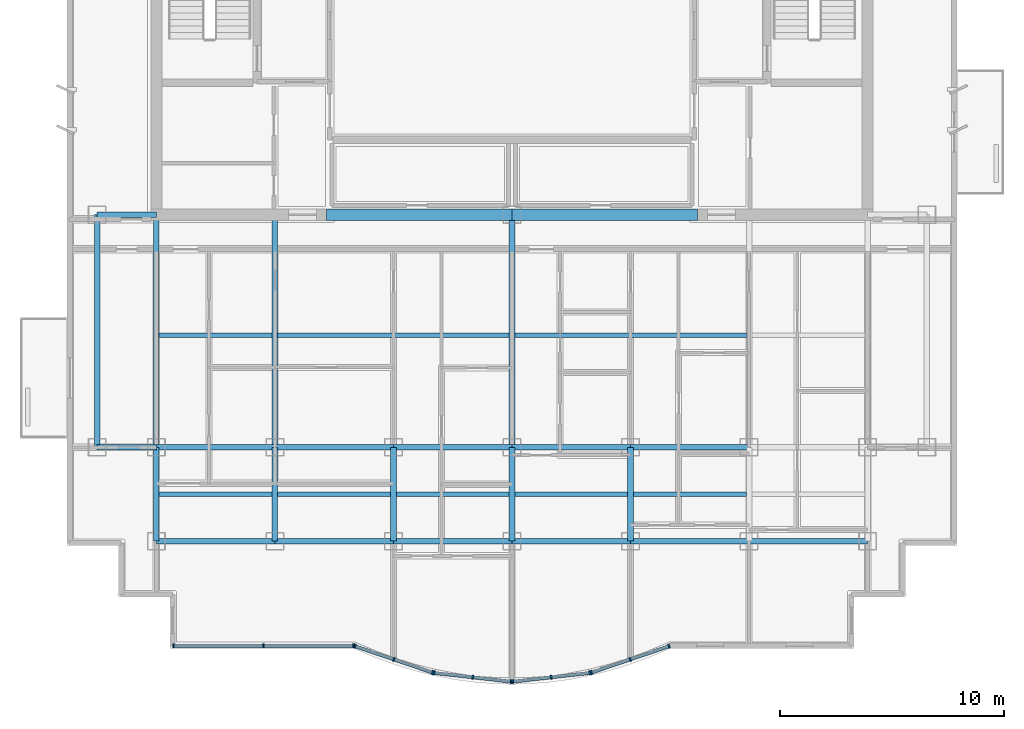
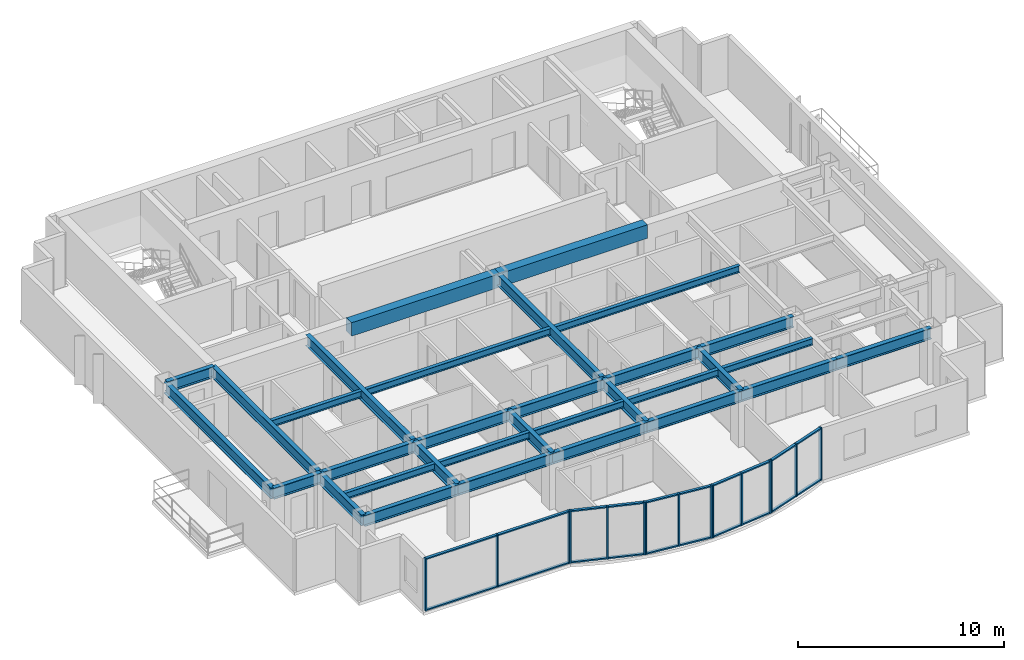
# One storey, part 2 of 9: 35 members, 32 beams, 5 elements without a shape of their own.
"""IFC4 building model written with IfcOpenShell, lengths in metres."""

from ifc_helpers import new_model, si_unit, direction, frame, origin, origin_2d, place, context, subcontext, project, spatial, rectangle, i_section, extrude, source, transform, mapped, material, layer, layer_set, material_profile, profile_set, type_object, element, aggregate, save


model = new_model("IFC4")

# Units and contexts
model_context = context("Model", 3, precision=1e-05, world=origin(), true_north=direction((0.0, 1.0)))
body_context = subcontext(model_context, "Body", "Model", "MODEL_VIEW")
ifc_project = project(units=[si_unit("LENGTHUNIT", "METRE"), si_unit("AREAUNIT", "SQUARE_METRE"), si_unit("VOLUMEUNIT", "CUBIC_METRE"), si_unit("PLANEANGLEUNIT", "RADIAN"), si_unit("MASSUNIT", "GRAM", prefix="KILO")], contexts=[model_context])

# Site, building, storey
site_placement = place(None, origin())
site = spatial("IfcSite", under=ifc_project, at=site_placement, CompositionType="ELEMENT")
building_placement = place(site_placement, origin())
building = spatial("IfcBuilding", under=site, at=building_placement, Name="Qianlan Lanfeng Residences", CompositionType="ELEMENT")
storey_placement = place(building_placement, frame((0.0, 0.0, 209.89990234375)))
storey = spatial("IfcBuildingStorey", under=building, at=storey_placement, Name="L57", CompositionType="ELEMENT", Elevation=209.89990234375)

# Beams
ifc_material_1 = material(Name="Steel SN490B", Category="steel")
ifc_material_profile_1 = material_profile(ifc_material_1, i_section(OverallWidth=0.25, OverallDepth=0.64990234375, WebThickness=0.012939453125, FlangeThickness=0.02197265625, at=origin_2d()), Name="H 650x250x13x22")
ifc_profile_set_1 = profile_set([ifc_material_profile_1], Name="Steel SN490B")
beam_type_1 = type_object("IfcBeamType", Name="G-650", PredefinedType="BEAM", material=ifc_profile_set_1)
beam_1_placement = place(storey_placement, frame((10.60009765625, 10.60009765625, 2.78515625), z_axis=(1.0, 0.0, 0.0), x_axis=(0.0, 1.0, 0.0)))
element("IfcBeam", 1, at=beam_1_placement, inside=storey, type_object=beam_type_1, Name="Structural beam G-650", PredefinedType="BEAM", context=body_context, shape_type="SweptSolid", body=[
    extrude(i_section(OverallWidth=0.25, OverallDepth=0.64990234375, WebThickness=0.012939453125, FlangeThickness=0.02197265625, at=origin_2d()), origin(), (0.0, 0.0, 1.0), 5.2998046875),
])
for number, where, z_axis, x_axis, name in (
    (2, (15.89990234375, 10.60009765625, 2.78515625), (1.0, 0.0, 0.0), (0.0, 1.0, 0.0), "Structural beam G-650"),
    (3, (21.199951171875, 10.60009765625, 2.78515625), (1.0, 0.0, 0.0), (0.0, 1.0, 0.0), "Structural beam G-650"),
    (4, (26.5, 10.60009765625, 2.78515625), (1.0, 0.0, 0.0), (0.0, 1.0, 0.0), "Structural beam G-650"),
    (5, (31.800048828125, 10.60009765625, 2.78515625), (1.0, 0.0, 0.0), (0.0, 1.0, 0.0), "Structural beam G-650"),
):
    element("IfcBeam", number, at=place(storey_placement, frame(where, z_axis=z_axis, x_axis=x_axis)), inside=storey, type_object=beam_type_1, Name=name, PredefinedType="BEAM", context=body_context, shape_type="SweptSolid", body=[
        extrude(i_section(OverallWidth=0.25, OverallDepth=0.64990234375, WebThickness=0.012939453125, FlangeThickness=0.02197265625, at=origin_2d()), origin(), (0.0, 0.0, 1.0), 5.300048828125),
    ])
beam_2_placement = place(storey_placement, frame((37.10009765625, 10.60009765625, 2.78515625), z_axis=(1.0, 0.0, 0.0), x_axis=(0.0, 1.0, 0.0)))
element("IfcBeam", 6, at=beam_2_placement, inside=storey, type_object=beam_type_1, Name="Structural beam G-650", PredefinedType="BEAM", context=body_context, shape_type="SweptSolid", body=[
    extrude(i_section(OverallWidth=0.25, OverallDepth=0.64990234375, WebThickness=0.012939453125, FlangeThickness=0.02197265625, at=origin_2d()), origin(), (0.0, 0.0, 1.0), 5.2998046875),
])
beam_3_placement = place(storey_placement, frame((7.949951171875, 14.800048828125, 2.78515625), z_axis=(1.0, 0.0, 0.0), x_axis=(0.0, 1.0, 0.0)))
element("IfcBeam", 7, at=beam_3_placement, inside=storey, type_object=beam_type_1, Name="Structural beam G-650", PredefinedType="BEAM", context=body_context, shape_type="SweptSolid", body=[
    extrude(i_section(OverallWidth=0.25, OverallDepth=0.64990234375, WebThickness=0.012939453125, FlangeThickness=0.02197265625, at=origin_2d()), origin(), (0.0, 0.0, 1.0), 2.650146484375),
])
beam_4_placement = place(storey_placement, frame((10.60009765625, 14.800048828125, 2.78515625), z_axis=(1.0, 0.0, 0.0), x_axis=(0.0, 1.0, 0.0)))
element("IfcBeam", 8, at=beam_4_placement, inside=storey, type_object=beam_type_1, Name="Structural beam G-650", PredefinedType="BEAM", context=body_context, shape_type="SweptSolid", body=[
    extrude(i_section(OverallWidth=0.25, OverallDepth=0.64990234375, WebThickness=0.012939453125, FlangeThickness=0.02197265625, at=origin_2d()), origin(), (0.0, 0.0, 1.0), 5.2998046875),
])
for number, where, z_axis, x_axis, name in (
    (9, (15.89990234375, 14.800048828125, 2.78515625), (1.0, 0.0, 0.0), (0.0, 1.0, 0.0), "Structural beam G-650"),
    (10, (21.199951171875, 14.800048828125, 2.78515625), (1.0, 0.0, 0.0), (0.0, 1.0, 0.0), "Structural beam G-650"),
    (11, (26.5, 14.800048828125, 2.78515625), (1.0, 0.0, 0.0), (0.0, 1.0, 0.0), "Structural beam G-650"),
    (12, (31.800048828125, 14.800048828125, 2.78515625), (1.0, 0.0, 0.0), (0.0, 1.0, 0.0), "Structural beam G-650"),
):
    element("IfcBeam", number, at=place(storey_placement, frame(where, z_axis=z_axis, x_axis=x_axis)), inside=storey, type_object=beam_type_1, Name=name, PredefinedType="BEAM", context=body_context, shape_type="SweptSolid", body=[
        extrude(i_section(OverallWidth=0.25, OverallDepth=0.64990234375, WebThickness=0.012939453125, FlangeThickness=0.02197265625, at=origin_2d()), origin(), (0.0, 0.0, 1.0), 5.300048828125),
    ])
beam_5_placement = place(storey_placement, frame((7.949951171875, 25.199951171875, 2.78515625), z_axis=(1.0, 0.0, 0.0), x_axis=(0.0, 1.0, 0.0)))
element("IfcBeam", 13, at=beam_5_placement, inside=storey, type_object=beam_type_1, Name="Structural beam G-650", PredefinedType="BEAM", context=body_context, shape_type="SweptSolid", body=[
    extrude(i_section(OverallWidth=0.25, OverallDepth=0.64990234375, WebThickness=0.012939453125, FlangeThickness=0.02197265625, at=origin_2d()), origin(), (0.0, 0.0, 1.0), 2.650146484375),
])
beam_6_placement = place(storey_placement, frame((10.60009765625, 10.60009765625, 2.78515625), z_axis=(0.0, 1.0, 0.0), x_axis=(-1.0, 0.0, 0.0)))
element("IfcBeam", 14, at=beam_6_placement, inside=storey, type_object=beam_type_1, Name="Structural beam G-650", PredefinedType="BEAM", context=body_context, shape_type="SweptSolid", body=[
    extrude(i_section(OverallWidth=0.25, OverallDepth=0.64990234375, WebThickness=0.012939453125, FlangeThickness=0.02197265625, at=origin_2d()), origin(), (0.0, 0.0, 1.0), 4.199951171875),
])
beam_7_placement = place(storey_placement, frame((10.60009765625, 14.800048828125, 2.78515625), z_axis=(0.0, 1.0, 0.0), x_axis=(-1.0, 0.0, 0.0)))
element("IfcBeam", 15, at=beam_7_placement, inside=storey, type_object=beam_type_1, Name="Structural beam G-650", PredefinedType="BEAM", context=body_context, shape_type="SweptSolid", body=[
    extrude(i_section(OverallWidth=0.25, OverallDepth=0.64990234375, WebThickness=0.012939453125, FlangeThickness=0.02197265625, at=origin_2d()), origin(), (0.0, 0.0, 1.0), 10.39990234375),
])
beam_8_placement = place(storey_placement, frame((15.89990234375, 10.60009765625, 2.78515625), z_axis=(0.0, 1.0, 0.0), x_axis=(-1.0, 0.0, 0.0)))
element("IfcBeam", 16, at=beam_8_placement, inside=storey, type_object=beam_type_1, Name="Structural beam G-650", PredefinedType="BEAM", context=body_context, shape_type="SweptSolid", body=[
    extrude(i_section(OverallWidth=0.25, OverallDepth=0.64990234375, WebThickness=0.012939453125, FlangeThickness=0.02197265625, at=origin_2d()), origin(), (0.0, 0.0, 1.0), 4.199951171875),
])
beam_9_placement = place(storey_placement, frame((15.89990234375, 14.800048828125, 2.78515625), z_axis=(0.0, 1.0, 0.0), x_axis=(-1.0, 0.0, 0.0)))
element("IfcBeam", 17, at=beam_9_placement, inside=storey, type_object=beam_type_1, Name="Structural beam G-650", PredefinedType="BEAM", context=body_context, shape_type="SweptSolid", body=[
    extrude(i_section(OverallWidth=0.25, OverallDepth=0.64990234375, WebThickness=0.012939453125, FlangeThickness=0.02197265625, at=origin_2d()), origin(), (0.0, 0.0, 1.0), 10.39990234375),
])
for number, where, z_axis, x_axis, name in (
    (18, (21.199951171875, 10.60009765625, 2.78515625), (0.0, 1.0, 0.0), (-1.0, 0.0, 0.0), "Structural beam G-650"),
    (19, (26.5, 10.60009765625, 2.78515625), (0.0, 1.0, 0.0), (-1.0, 0.0, 0.0), "Structural beam G-650"),
):
    element("IfcBeam", number, at=place(storey_placement, frame(where, z_axis=z_axis, x_axis=x_axis)), inside=storey, type_object=beam_type_1, Name=name, PredefinedType="BEAM", context=body_context, shape_type="SweptSolid", body=[
        extrude(i_section(OverallWidth=0.25, OverallDepth=0.64990234375, WebThickness=0.012939453125, FlangeThickness=0.02197265625, at=origin_2d()), origin(), (0.0, 0.0, 1.0), 4.199951171875),
    ])
beam_10_placement = place(storey_placement, frame((26.5, 14.800048828125, 2.78515625), z_axis=(0.0, 1.0, 0.0), x_axis=(-1.0, 0.0, 0.0)))
element("IfcBeam", 20, at=beam_10_placement, inside=storey, type_object=beam_type_1, Name="Structural beam G-650", PredefinedType="BEAM", context=body_context, shape_type="SweptSolid", body=[
    extrude(i_section(OverallWidth=0.25, OverallDepth=0.64990234375, WebThickness=0.012939453125, FlangeThickness=0.02197265625, at=origin_2d()), origin(), (0.0, 0.0, 1.0), 10.39990234375),
])
beam_11_placement = place(storey_placement, frame((31.800048828125, 10.60009765625, 2.78515625), z_axis=(0.0, 1.0, 0.0), x_axis=(-1.0, 0.0, 0.0)))
element("IfcBeam", 21, at=beam_11_placement, inside=storey, type_object=beam_type_1, Name="Structural beam G-650", PredefinedType="BEAM", context=body_context, shape_type="SweptSolid", body=[
    extrude(i_section(OverallWidth=0.25, OverallDepth=0.64990234375, WebThickness=0.012939453125, FlangeThickness=0.02197265625, at=origin_2d()), origin(), (0.0, 0.0, 1.0), 4.199951171875),
])
ifc_material_profile_2 = material_profile(ifc_material_1, i_section(OverallWidth=0.199951171875, OverallDepth=0.39990234375, WebThickness=0.008056640625, FlangeThickness=0.012939453125, at=origin_2d()), Name="H 400x200x8x13")
ifc_profile_set_2 = profile_set([ifc_material_profile_2], Name="Steel SN490B")
beam_type_2 = type_object("IfcBeamType", Name="J-400", PredefinedType="JOIST", material=ifc_profile_set_2)
beam_12_placement = place(storey_placement, frame((10.72509765625, 12.699951171875, 2.91015625), z_axis=(1.0, 0.0, 0.0), x_axis=(0.0, 1.0, 0.0)))
element("IfcBeam", 22, at=beam_12_placement, inside=storey, type_object=beam_type_2, Name="Structural beam J-400", PredefinedType="JOIST", context=body_context, shape_type="SweptSolid", body=[
    extrude(i_section(OverallWidth=0.199951171875, OverallDepth=0.39990234375, WebThickness=0.008056640625, FlangeThickness=0.012939453125, at=origin_2d()), origin(), (0.0, 0.0, 1.0), 5.0498046875),
])
for number, where, z_axis, x_axis, name in (
    (23, (16.02490234375, 12.699951171875, 2.91015625), (1.0, 0.0, 0.0), (0.0, 1.0, 0.0), "Structural beam J-400"),
    (24, (21.324951171875, 12.699951171875, 2.91015625), (1.0, 0.0, 0.0), (0.0, 1.0, 0.0), "Structural beam J-400"),
    (25, (26.625, 12.699951171875, 2.91015625), (1.0, 0.0, 0.0), (0.0, 1.0, 0.0), "Structural beam J-400"),
    (26, (31.925048828125, 12.699951171875, 2.91015625), (1.0, 0.0, 0.0), (0.0, 1.0, 0.0), "Structural beam J-400"),
):
    element("IfcBeam", number, at=place(storey_placement, frame(where, z_axis=z_axis, x_axis=x_axis)), inside=storey, type_object=beam_type_2, Name=name, PredefinedType="JOIST", context=body_context, shape_type="SweptSolid", body=[
        extrude(i_section(OverallWidth=0.199951171875, OverallDepth=0.39990234375, WebThickness=0.008056640625, FlangeThickness=0.012939453125, at=origin_2d()), origin(), (0.0, 0.0, 1.0), 5.050048828125),
    ])
beam_13_placement = place(storey_placement, frame((10.72509765625, 19.800048828125, 2.91015625), z_axis=(1.0, 0.0, 0.0), x_axis=(0.0, 1.0, 0.0)))
element("IfcBeam", 27, at=beam_13_placement, inside=storey, type_object=beam_type_2, Name="Structural beam J-400", PredefinedType="JOIST", context=body_context, shape_type="SweptSolid", body=[
    extrude(i_section(OverallWidth=0.199951171875, OverallDepth=0.39990234375, WebThickness=0.008056640625, FlangeThickness=0.012939453125, at=origin_2d()), origin(), (0.0, 0.0, 1.0), 5.0498046875),
])
for number, where, z_axis, x_axis, name in (
    (28, (16.02490234375, 19.800048828125, 2.91015625), (1.0, 0.0, 0.0), (0.0, 1.0, 0.0), "Structural beam J-400"),
    (29, (26.625, 19.800048828125, 2.91015625), (1.0, 0.0, 0.0), (0.0, 1.0, 0.0), "Structural beam J-400"),
):
    element("IfcBeam", number, at=place(storey_placement, frame(where, z_axis=z_axis, x_axis=x_axis)), inside=storey, type_object=beam_type_2, Name=name, PredefinedType="JOIST", context=body_context, shape_type="SweptSolid", body=[
        extrude(i_section(OverallWidth=0.199951171875, OverallDepth=0.39990234375, WebThickness=0.008056640625, FlangeThickness=0.012939453125, at=origin_2d()), origin(), (0.0, 0.0, 1.0), 10.35009765625),
    ])
ifc_material_2 = material(Name="Concrete C49", Category="concrete")
ifc_material_profile_3 = material_profile(ifc_material_2, rectangle(XDim=0.5, YDim=0.800048828125, at=origin_2d()), Name="RC 500x800")
ifc_profile_set_3 = profile_set([ifc_material_profile_3], Name="Concrete C49")
beam_type_3 = type_object("IfcBeamType", Name="LB-RC750", PredefinedType="BEAM", material=ifc_profile_set_3)
for number, where, z_axis, x_axis, name in (
    (30, (18.199951171875, 25.199951171875, 2.710205078125), (1.0, 0.0, 0.0), (0.0, 1.0, 0.0), "L57 Core Coupling Beam W"),
    (31, (26.5, 25.199951171875, 2.710205078125), (1.0, 0.0, 0.0), (0.0, 1.0, 0.0), "L57 Core Coupling Beam E"),
):
    element("IfcBeam", number, at=place(storey_placement, frame(where, z_axis=z_axis, x_axis=x_axis)), inside=storey, type_object=beam_type_3, Name=name, PredefinedType="BEAM", context=body_context, shape_type="SweptSolid", body=[
        extrude(rectangle(XDim=0.5, YDim=0.800048828125, at=origin_2d()), origin(), (0.0, 0.0, 1.0), 8.300048828125),
    ])
ifc_material_profile_4 = material_profile(ifc_material_1, i_section(OverallWidth=0.25, OverallDepth=0.64990234375, WebThickness=0.012939453125, FlangeThickness=0.02197265625, at=origin_2d()), Name="H 650x250x13x22")
ifc_profile_set_4 = profile_set([ifc_material_profile_4], Name="Steel SN490B")
beam_type_4 = type_object("IfcBeamType", Name="SG-650", PredefinedType="SPANDREL", material=ifc_profile_set_4)
beam_14_placement = place(storey_placement, frame((7.949951171875, 14.800048828125, 2.76513671875), z_axis=(0.0, 1.0, 0.0), x_axis=(-1.0, 0.0, 0.0)))
element("IfcBeam", 32, at=beam_14_placement, inside=storey, type_object=beam_type_4, Name="Structural beam SG-650", PredefinedType="SPANDREL", context=body_context, shape_type="SweptSolid", body=[
    extrude(i_section(OverallWidth=0.25, OverallDepth=0.64990234375, WebThickness=0.012939453125, FlangeThickness=0.02197265625, at=origin_2d()), origin(), (0.0, 0.0, 1.0), 10.39990234375),
])

# Curtain wall, members
ifc_material_3 = material(Name="Anodised Bronze Aluminium 6063-T6", Category="aluminium")
ifc_layer = layer(ifc_material_3, 0.219970703125)
ifc_layer_set = layer_set([ifc_layer], Name="Anodised Bronze Aluminium 6063-T6")
curtain_wall_type = type_object("IfcCurtainWallType", Name="CW-05", PredefinedType="NOTDEFINED", material=ifc_layer_set)
curtain_wall_1_placement = place(storey_placement, origin())
curtain_wall_1 = element("IfcCurtainWall", 33, at=curtain_wall_1_placement, inside=storey, type_object=curtain_wall_type, Name="L57 Unitised Curtain Wall CWR-L57-01 (CW-05)", PredefinedType="NOTDEFINED")
ifc_material_profile_5 = material_profile(ifc_material_3, rectangle(XDim=0.074951171875, YDim=0.14990234375, at=origin_2d()), Name="ALU TRANSOM 75x150")
ifc_profile_set_5 = profile_set([ifc_material_profile_5], Name="Anodised Bronze Aluminium 6063-T6")
member_type_1 = type_object("IfcMemberType", Name="CWT-150", PredefinedType="USERDEFINED", material=ifc_profile_set_5)
shared_shape_1 = source(origin(), body_context, "Body", "SweptSolid", [
    extrude(rectangle(XDim=0.074951171875, YDim=0.14990234375, at=origin_2d()), origin(), (0.0, 0.0, 1.0), 3.949462890625),
])
member_1_placement = place(storey_placement, frame((11.39501953125, 5.919921875, 0.03759765625), z_axis=(1.0, 0.0, 0.0), x_axis=(0.0, 0.0, 1.0)))
member_1 = element("IfcMember", 34, at=member_1_placement, type_object=member_type_1, Name="CWR-L57-01 Transom 1-BOT", ObjectType="TRANSOM", PredefinedType="USERDEFINED", context=body_context, shape_type="MappedRepresentation", body=[
    mapped(shared_shape_1, transform((0.0, 0.0, 0.0), scale=1.0)),
])
member_2_placement = place(storey_placement, frame((11.39501953125, 5.919921875, 3.072509765625), z_axis=(1.0, 0.0, 0.0), x_axis=(0.0, 0.0, 1.0)))
member_2 = element("IfcMember", 35, at=member_2_placement, type_object=member_type_1, Name="CWR-L57-01 Transom 1-TOP", ObjectType="TRANSOM", PredefinedType="USERDEFINED", context=body_context, shape_type="MappedRepresentation", body=[
    mapped(shared_shape_1, transform((0.0, 0.0, 0.0), scale=1.0)),
])
member_3_placement = place(storey_placement, frame((15.41943359375, 5.919921875, 0.03759765625), z_axis=(1.0, 0.0, 0.0), x_axis=(0.0, 0.0, 1.0)))
member_3 = element("IfcMember", 36, at=member_3_placement, type_object=member_type_1, Name="CWR-L57-01 Transom 2-BOT", ObjectType="TRANSOM", PredefinedType="USERDEFINED", context=body_context, shape_type="MappedRepresentation", body=[
    mapped(shared_shape_1, transform((0.0, 0.0, 0.0), scale=1.0)),
])
member_4_placement = place(storey_placement, frame((15.41943359375, 5.919921875, 3.072509765625), z_axis=(1.0, 0.0, 0.0), x_axis=(0.0, 0.0, 1.0)))
member_4 = element("IfcMember", 37, at=member_4_placement, type_object=member_type_1, Name="CWR-L57-01 Transom 2-TOP", ObjectType="TRANSOM", PredefinedType="USERDEFINED", context=body_context, shape_type="MappedRepresentation", body=[
    mapped(shared_shape_1, transform((0.0, 0.0, 0.0), scale=1.0)),
])

curtain_wall_2_placement = place(storey_placement, origin())
curtain_wall_2 = element("IfcCurtainWall", 38, at=curtain_wall_2_placement, inside=storey, type_object=curtain_wall_type, Name="L57 Unitised Curtain Wall CWR-L57-02 (CW-05)", PredefinedType="NOTDEFINED")
shared_shape_2 = source(origin(), body_context, "Body", "SweptSolid", [
    extrude(rectangle(XDim=0.074951171875, YDim=0.14990234375, at=origin_2d()), origin(), (0.0, 0.0, 1.0), 1.758056640625),
])
member_5_placement = place(storey_placement, frame((19.514892578125, 5.89599609375, 0.03759765625), z_axis=(0.946862437727, -0.321638809882, 0.0), x_axis=(0.0, 0.0, 1.0)))
member_5 = element("IfcMember", 39, at=member_5_placement, type_object=member_type_1, Name="CWR-L57-02 Transom 1-BOT", ObjectType="TRANSOM", PredefinedType="USERDEFINED", context=body_context, shape_type="MappedRepresentation", body=[
    mapped(shared_shape_2, transform((0.0, 0.0, 0.0), scale=1.0)),
])
member_6_placement = place(storey_placement, frame((19.514892578125, 5.89599609375, 3.072509765625), z_axis=(0.946862437727, -0.321638809882, 0.0), x_axis=(0.0, 0.0, 1.0)))
member_6 = element("IfcMember", 40, at=member_6_placement, type_object=member_type_1, Name="CWR-L57-02 Transom 1-TOP", ObjectType="TRANSOM", PredefinedType="USERDEFINED", context=body_context, shape_type="MappedRepresentation", body=[
    mapped(shared_shape_2, transform((0.0, 0.0, 0.0), scale=1.0)),
])

curtain_wall_3_placement = place(storey_placement, origin())
curtain_wall_3 = element("IfcCurtainWall", 41, at=curtain_wall_3_placement, inside=storey, type_object=curtain_wall_type, Name="L57 Unitised Curtain Wall CWR-L57-05 (CW-05)", PredefinedType="NOTDEFINED")
member_7_placement = place(storey_placement, frame((31.820556640625, 5.33056640625, 0.03759765625), z_axis=(0.946862437727, 0.321638809882, 0.0), x_axis=(0.0, 0.0, 1.0)))
member_7 = element("IfcMember", 42, at=member_7_placement, type_object=member_type_1, Name="CWR-L57-05 Transom 2-BOT", ObjectType="TRANSOM", PredefinedType="USERDEFINED", context=body_context, shape_type="MappedRepresentation", body=[
    mapped(shared_shape_2, transform((0.0, 0.0, 0.0), scale=1.0)),
])
member_8_placement = place(storey_placement, frame((31.820556640625, 5.33056640625, 3.072509765625), z_axis=(0.946862437727, 0.321638809882, 0.0), x_axis=(0.0, 0.0, 1.0)))
member_8 = element("IfcMember", 43, at=member_8_placement, type_object=member_type_1, Name="CWR-L57-05 Transom 2-TOP", ObjectType="TRANSOM", PredefinedType="USERDEFINED", context=body_context, shape_type="MappedRepresentation", body=[
    mapped(shared_shape_2, transform((0.0, 0.0, 0.0), scale=1.0)),
])

# Member
shared_shape_3 = source(origin(), body_context, "Body", "SweptSolid", [
    extrude(rectangle(XDim=0.074951171875, YDim=0.14990234375, at=origin_2d()), origin(), (0.0, 0.0, 1.0), 1.7578125),
])
member_9_placement = place(storey_placement, frame((21.25048828125, 5.306396484375, 0.03759765625), z_axis=(0.946904726058, -0.321514291702, 0.0), x_axis=(0.0, 0.0, 1.0)))
member_9 = element("IfcMember", 44, at=member_9_placement, type_object=member_type_1, Name="CWR-L57-02 Transom 2-BOT", ObjectType="TRANSOM", PredefinedType="USERDEFINED", context=body_context, shape_type="MappedRepresentation", body=[
    mapped(shared_shape_3, transform((0.0, 0.0, 0.0), scale=1.0)),
])

member_10_placement = place(storey_placement, frame((21.25048828125, 5.306396484375, 3.072509765625), z_axis=(0.946904726058, -0.321514291702, 0.0), x_axis=(0.0, 0.0, 1.0)))
member_10 = element("IfcMember", 45, at=member_10_placement, type_object=member_type_1, Name="CWR-L57-02 Transom 2-TOP", ObjectType="TRANSOM", PredefinedType="USERDEFINED", context=body_context, shape_type="MappedRepresentation", body=[
    mapped(shared_shape_3, transform((0.0, 0.0, 0.0), scale=1.0)),
])

member_11_placement = place(storey_placement, frame((30.0849609375, 4.7412109375, 0.03759765625), z_axis=(0.946904726058, 0.321514291702, 0.0), x_axis=(0.0, 0.0, 1.0)))
member_11 = element("IfcMember", 46, at=member_11_placement, type_object=member_type_1, Name="CWR-L57-05 Transom 1-BOT", ObjectType="TRANSOM", PredefinedType="USERDEFINED", context=body_context, shape_type="MappedRepresentation", body=[
    mapped(shared_shape_3, transform((0.0, 0.0, 0.0), scale=1.0)),
])

member_12_placement = place(storey_placement, frame((30.0849609375, 4.7412109375, 3.072509765625), z_axis=(0.946904726058, 0.321514291702, 0.0), x_axis=(0.0, 0.0, 1.0)))
member_12 = element("IfcMember", 47, at=member_12_placement, type_object=member_type_1, Name="CWR-L57-05 Transom 1-TOP", ObjectType="TRANSOM", PredefinedType="USERDEFINED", context=body_context, shape_type="MappedRepresentation", body=[
    mapped(shared_shape_3, transform((0.0, 0.0, 0.0), scale=1.0)),
])

# Curtain wall, members
curtain_wall_4_placement = place(storey_placement, origin())
curtain_wall_4 = element("IfcCurtainWall", 48, at=curtain_wall_4_placement, inside=storey, type_object=curtain_wall_type, Name="L57 Unitised Curtain Wall CWR-L57-03 (CW-05)", PredefinedType="NOTDEFINED")
shared_shape_4 = source(origin(), body_context, "Body", "SweptSolid", [
    extrude(rectangle(XDim=0.074951171875, YDim=0.14990234375, at=origin_2d()), origin(), (0.0, 0.0, 1.0), 1.65576171875),
])
member_13_placement = place(storey_placement, frame((23.060546875, 4.70849609375, 0.03759765625), z_axis=(0.993684337804, -0.112211571608, 0.0), x_axis=(0.0, 0.0, 1.0)))
member_13 = element("IfcMember", 49, at=member_13_placement, type_object=member_type_1, Name="CWR-L57-03 Transom 1-BOT", ObjectType="TRANSOM", PredefinedType="USERDEFINED", context=body_context, shape_type="MappedRepresentation", body=[
    mapped(shared_shape_4, transform((0.0, 0.0, 0.0), scale=1.0)),
])
member_14_placement = place(storey_placement, frame((23.060546875, 4.70849609375, 3.072509765625), z_axis=(0.993684337804, -0.112211571608, 0.0), x_axis=(0.0, 0.0, 1.0)))
member_14 = element("IfcMember", 50, at=member_14_placement, type_object=member_type_1, Name="CWR-L57-03 Transom 1-TOP", ObjectType="TRANSOM", PredefinedType="USERDEFINED", context=body_context, shape_type="MappedRepresentation", body=[
    mapped(shared_shape_4, transform((0.0, 0.0, 0.0), scale=1.0)),
])
member_15_placement = place(storey_placement, frame((24.7802734375, 4.514404296875, 0.03759765625), z_axis=(0.993667885999, -0.112357164139, 0.0), x_axis=(0.0, 0.0, 1.0)))
member_15 = element("IfcMember", 51, at=member_15_placement, type_object=member_type_1, Name="CWR-L57-03 Transom 2-BOT", ObjectType="TRANSOM", PredefinedType="USERDEFINED", context=body_context, shape_type="MappedRepresentation", body=[
    mapped(shared_shape_4, transform((0.0, 0.0, 0.0), scale=1.0)),
])
member_16_placement = place(storey_placement, frame((24.7802734375, 4.514404296875, 3.072509765625), z_axis=(0.993667885999, -0.112357164139, 0.0), x_axis=(0.0, 0.0, 1.0)))
member_16 = element("IfcMember", 52, at=member_16_placement, type_object=member_type_1, Name="CWR-L57-03 Transom 2-TOP", ObjectType="TRANSOM", PredefinedType="USERDEFINED", context=body_context, shape_type="MappedRepresentation", body=[
    mapped(shared_shape_4, transform((0.0, 0.0, 0.0), scale=1.0)),
])

curtain_wall_5_placement = place(storey_placement, origin())
curtain_wall_5 = element("IfcCurtainWall", 53, at=curtain_wall_5_placement, inside=storey, type_object=curtain_wall_type, Name="L57 Unitised Curtain Wall CWR-L57-04 (CW-05)", PredefinedType="NOTDEFINED")
member_17_placement = place(storey_placement, frame((26.574462890625, 4.328369140625, 0.03759765625), z_axis=(0.993667885999, 0.112357164139, 0.0), x_axis=(0.0, 0.0, 1.0)))
member_17 = element("IfcMember", 54, at=member_17_placement, type_object=member_type_1, Name="CWR-L57-04 Transom 1-BOT", ObjectType="TRANSOM", PredefinedType="USERDEFINED", context=body_context, shape_type="MappedRepresentation", body=[
    mapped(shared_shape_4, transform((0.0, 0.0, 0.0), scale=1.0)),
])
member_18_placement = place(storey_placement, frame((26.574462890625, 4.328369140625, 3.072509765625), z_axis=(0.993667885999, 0.112357164139, 0.0), x_axis=(0.0, 0.0, 1.0)))
member_18 = element("IfcMember", 55, at=member_18_placement, type_object=member_type_1, Name="CWR-L57-04 Transom 1-TOP", ObjectType="TRANSOM", PredefinedType="USERDEFINED", context=body_context, shape_type="MappedRepresentation", body=[
    mapped(shared_shape_4, transform((0.0, 0.0, 0.0), scale=1.0)),
])
member_19_placement = place(storey_placement, frame((28.294189453125, 4.522705078125, 0.03759765625), z_axis=(0.993684337804, 0.112211571608, 0.0), x_axis=(0.0, 0.0, 1.0)))
member_19 = element("IfcMember", 56, at=member_19_placement, type_object=member_type_1, Name="CWR-L57-04 Transom 2-BOT", ObjectType="TRANSOM", PredefinedType="USERDEFINED", context=body_context, shape_type="MappedRepresentation", body=[
    mapped(shared_shape_4, transform((0.0, 0.0, 0.0), scale=1.0)),
])
member_20_placement = place(storey_placement, frame((28.294189453125, 4.522705078125, 3.072509765625), z_axis=(0.993684337804, 0.112211571608, 0.0), x_axis=(0.0, 0.0, 1.0)))
member_20 = element("IfcMember", 57, at=member_20_placement, type_object=member_type_1, Name="CWR-L57-04 Transom 2-TOP", ObjectType="TRANSOM", PredefinedType="USERDEFINED", context=body_context, shape_type="MappedRepresentation", body=[
    mapped(shared_shape_4, transform((0.0, 0.0, 0.0), scale=1.0)),
])

# Member
ifc_material_profile_6 = material_profile(ifc_material_3, rectangle(XDim=0.074951171875, YDim=0.179931640625, at=origin_2d()), Name="ALU MULLION 75x180")
ifc_profile_set_6 = profile_set([ifc_material_profile_6], Name="Anodised Bronze Aluminium 6063-T6")
member_type_2 = type_object("IfcMemberType", Name="CWM-180", PredefinedType="MULLION", material=ifc_profile_set_6)
shared_shape_5 = source(origin(), body_context, "Body", "SweptSolid", [
    extrude(rectangle(XDim=0.074951171875, YDim=0.179931640625, at=origin_2d()), origin(), (0.0, 0.0, 1.0), 3.110107421875),
])
member_21_placement = place(storey_placement, frame((11.357421875, 5.919921875, 0.0), z_axis=(0.0, 0.0, 1.0), x_axis=(1.0, 0.0, 0.0)))
member_21 = element("IfcMember", 58, at=member_21_placement, type_object=member_type_2, Name="CWR-L57-01 Mullion 1", PredefinedType="MULLION", context=body_context, shape_type="MappedRepresentation", body=[
    mapped(shared_shape_5, transform((0.0, 0.0, 0.0), scale=1.0)),
])

member_22_placement = place(storey_placement, frame((15.382080078125, 5.919921875, 0.0), z_axis=(0.0, 0.0, 1.0), x_axis=(1.0, 0.0, 0.0)))
member_22 = element("IfcMember", 59, at=member_22_placement, type_object=member_type_2, Name="CWR-L57-01 Mullion 2", PredefinedType="MULLION", context=body_context, shape_type="MappedRepresentation", body=[
    mapped(shared_shape_5, transform((0.0, 0.0, 0.0), scale=1.0)),
])

member_23_placement = place(storey_placement, frame((19.406494140625, 5.919921875, 0.0), z_axis=(0.0, 0.0, 1.0), x_axis=(1.0, 0.0, 0.0)))
member_23 = element("IfcMember", 60, at=member_23_placement, type_object=member_type_2, Name="CWR-L57-01 Mullion 3", PredefinedType="MULLION", context=body_context, shape_type="MappedRepresentation", body=[
    mapped(shared_shape_5, transform((0.0, 0.0, 0.0), scale=1.0)),
])

aggregate(curtain_wall_1, [member_21, member_22, member_23, member_1, member_2, member_3, member_4])

member_24_placement = place(storey_placement, frame((19.4794921875, 5.907958984375, 0.0), z_axis=(0.0, 0.0, 1.0), x_axis=(0.946876819797, -0.321596467845, 0.0)))
member_24 = element("IfcMember", 61, at=member_24_placement, type_object=member_type_2, Name="CWR-L57-02 Mullion 1", PredefinedType="MULLION", context=body_context, shape_type="MappedRepresentation", body=[
    mapped(shared_shape_5, transform((0.0, 0.0, 0.0), scale=1.0)),
])

member_25_placement = place(storey_placement, frame((21.215087890625, 5.318603515625, 0.0), z_axis=(0.0, 0.0, 1.0), x_axis=(0.946876819797, -0.321596467845, 0.0)))
member_25 = element("IfcMember", 62, at=member_25_placement, type_object=member_type_2, Name="CWR-L57-02 Mullion 2", PredefinedType="MULLION", context=body_context, shape_type="MappedRepresentation", body=[
    mapped(shared_shape_5, transform((0.0, 0.0, 0.0), scale=1.0)),
])

member_26_placement = place(storey_placement, frame((22.950439453125, 4.72900390625, 0.0), z_axis=(0.0, 0.0, 1.0), x_axis=(0.946876819797, -0.321596467845, 0.0)))
member_26 = element("IfcMember", 63, at=member_26_placement, type_object=member_type_2, Name="CWR-L57-02 Mullion 3", PredefinedType="MULLION", context=body_context, shape_type="MappedRepresentation", body=[
    mapped(shared_shape_5, transform((0.0, 0.0, 0.0), scale=1.0)),
])

aggregate(curtain_wall_2, [member_24, member_25, member_26, member_5, member_6, member_9, member_10])

member_27_placement = place(storey_placement, frame((23.023193359375, 4.712890625, 0.0), z_axis=(0.0, 0.0, 1.0), x_axis=(0.993678497778, -0.112263275625, 0.0)))
member_27 = element("IfcMember", 64, at=member_27_placement, type_object=member_type_2, Name="CWR-L57-03 Mullion 1", PredefinedType="MULLION", context=body_context, shape_type="MappedRepresentation", body=[
    mapped(shared_shape_5, transform((0.0, 0.0, 0.0), scale=1.0)),
])

member_28_placement = place(storey_placement, frame((24.742919921875, 4.5185546875, 0.0), z_axis=(0.0, 0.0, 1.0), x_axis=(0.993678497778, -0.112263275625, 0.0)))
member_28 = element("IfcMember", 65, at=member_28_placement, type_object=member_type_2, Name="CWR-L57-03 Mullion 2", PredefinedType="MULLION", context=body_context, shape_type="MappedRepresentation", body=[
    mapped(shared_shape_5, transform((0.0, 0.0, 0.0), scale=1.0)),
])

member_29_placement = place(storey_placement, frame((26.462890625, 4.32421875, 0.0), z_axis=(0.0, 0.0, 1.0), x_axis=(0.993678497778, -0.112263275625, 0.0)))
member_29 = element("IfcMember", 66, at=member_29_placement, type_object=member_type_2, Name="CWR-L57-03 Mullion 3", PredefinedType="MULLION", context=body_context, shape_type="MappedRepresentation", body=[
    mapped(shared_shape_5, transform((0.0, 0.0, 0.0), scale=1.0)),
])

aggregate(curtain_wall_4, [member_27, member_28, member_29, member_13, member_14, member_15, member_16])

member_30_placement = place(storey_placement, frame((26.537353515625, 4.32421875, 0.0), z_axis=(0.0, 0.0, 1.0), x_axis=(0.993678497778, 0.112263275625, 0.0)))
member_30 = element("IfcMember", 67, at=member_30_placement, type_object=member_type_2, Name="CWR-L57-04 Mullion 1", PredefinedType="MULLION", context=body_context, shape_type="MappedRepresentation", body=[
    mapped(shared_shape_5, transform((0.0, 0.0, 0.0), scale=1.0)),
])

member_31_placement = place(storey_placement, frame((28.257080078125, 4.5185546875, 0.0), z_axis=(0.0, 0.0, 1.0), x_axis=(0.993678497778, 0.112263275625, 0.0)))
member_31 = element("IfcMember", 68, at=member_31_placement, type_object=member_type_2, Name="CWR-L57-04 Mullion 2", PredefinedType="MULLION", context=body_context, shape_type="MappedRepresentation", body=[
    mapped(shared_shape_5, transform((0.0, 0.0, 0.0), scale=1.0)),
])

member_32_placement = place(storey_placement, frame((29.976806640625, 4.712890625, 0.0), z_axis=(0.0, 0.0, 1.0), x_axis=(0.993678497778, 0.112263275625, 0.0)))
member_32 = element("IfcMember", 69, at=member_32_placement, type_object=member_type_2, Name="CWR-L57-04 Mullion 3", PredefinedType="MULLION", context=body_context, shape_type="MappedRepresentation", body=[
    mapped(shared_shape_5, transform((0.0, 0.0, 0.0), scale=1.0)),
])

aggregate(curtain_wall_5, [member_30, member_31, member_32, member_17, member_18, member_19, member_20])

member_33_placement = place(storey_placement, frame((30.049560546875, 4.72900390625, 0.0), z_axis=(0.0, 0.0, 1.0), x_axis=(0.946876819797, 0.321596467845, 0.0)))
member_33 = element("IfcMember", 70, at=member_33_placement, type_object=member_type_2, Name="CWR-L57-05 Mullion 1", PredefinedType="MULLION", context=body_context, shape_type="MappedRepresentation", body=[
    mapped(shared_shape_5, transform((0.0, 0.0, 0.0), scale=1.0)),
])

member_34_placement = place(storey_placement, frame((31.784912109375, 5.318603515625, 0.0), z_axis=(0.0, 0.0, 1.0), x_axis=(0.946876819797, 0.321596467845, 0.0)))
member_34 = element("IfcMember", 71, at=member_34_placement, type_object=member_type_2, Name="CWR-L57-05 Mullion 2", PredefinedType="MULLION", context=body_context, shape_type="MappedRepresentation", body=[
    mapped(shared_shape_5, transform((0.0, 0.0, 0.0), scale=1.0)),
])

member_35_placement = place(storey_placement, frame((33.5205078125, 5.907958984375, 0.0), z_axis=(0.0, 0.0, 1.0), x_axis=(0.946876819797, 0.321596467845, 0.0)))
member_35 = element("IfcMember", 72, at=member_35_placement, type_object=member_type_2, Name="CWR-L57-05 Mullion 3", PredefinedType="MULLION", context=body_context, shape_type="MappedRepresentation", body=[
    mapped(shared_shape_5, transform((0.0, 0.0, 0.0), scale=1.0)),
])

aggregate(curtain_wall_3, [member_33, member_34, member_35, member_11, member_12, member_7, member_8])

save(model, "model.ifc")
